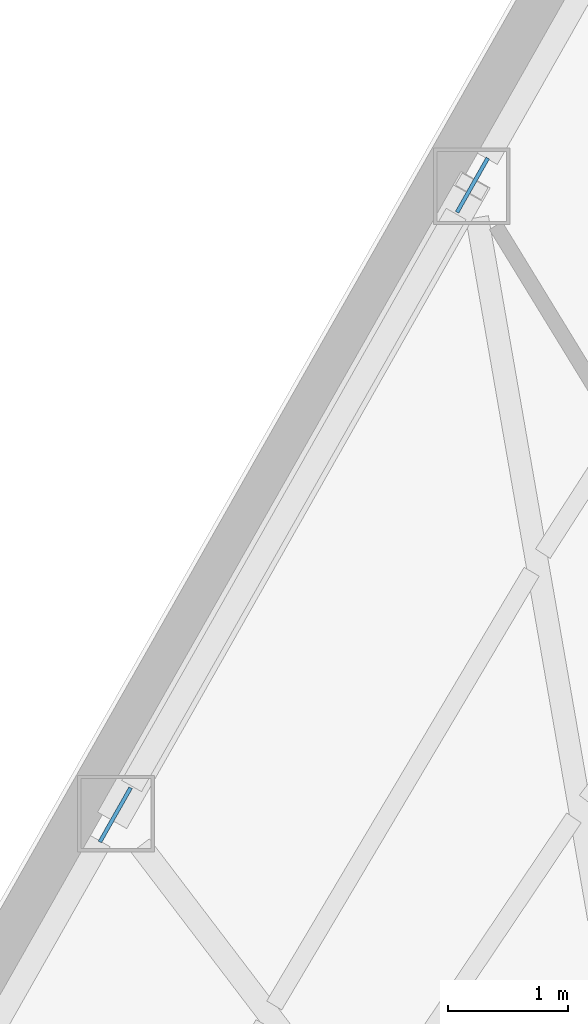
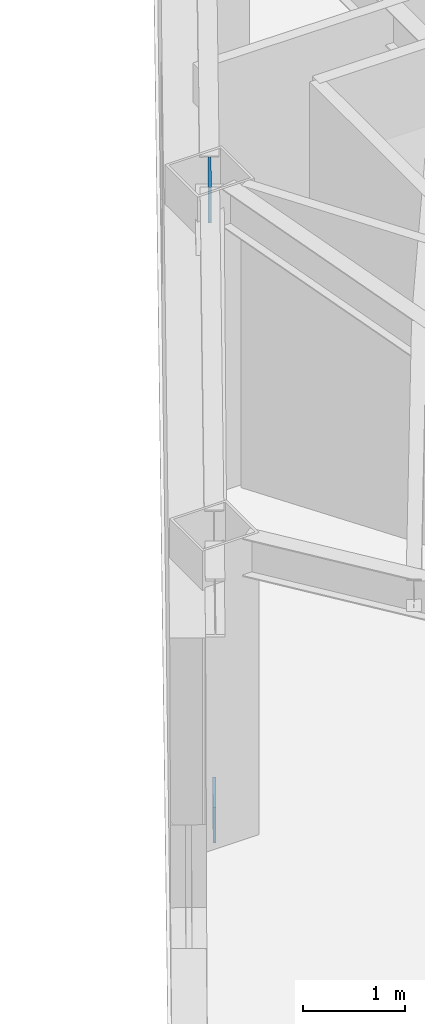
# One storey, part 5 of 11: 2 plates.
"""IFC4 building model written with IfcOpenShell, lengths in metres."""

from ifc_helpers import new_model, si_unit, direction, frame, origin, origin_2d, place, context, subcontext, project, spatial, rectangle, extrude, material, layer, layer_set, type_object, element, save


model = new_model("IFC4")

# Units and contexts
model_context = context("Model", 3, precision=1e-05, world=origin(), true_north=direction((0.0, 1.0)))
body_context = subcontext(model_context, "Body", "Model", "MODEL_VIEW")
ifc_project = project(units=[si_unit("LENGTHUNIT", "METRE"), si_unit("AREAUNIT", "SQUARE_METRE"), si_unit("VOLUMEUNIT", "CUBIC_METRE"), si_unit("PLANEANGLEUNIT", "RADIAN"), si_unit("MASSUNIT", "GRAM", prefix="KILO")], contexts=[model_context])

# Site, building, storey
site_placement = place(None, origin())
site = spatial("IfcSite", under=ifc_project, at=site_placement, CompositionType="ELEMENT")
building_placement = place(site_placement, origin())
building = spatial("IfcBuilding", under=site, at=building_placement, Name="Kavelnor Concourse Tower", CompositionType="ELEMENT")
storey_placement = place(building_placement, frame((0.0, 0.0, 165.0)))
storey = spatial("IfcBuildingStorey", under=building, at=storey_placement, Name="L41", CompositionType="ELEMENT", Elevation=165.0)

# Plates
ifc_material = material(Name="Steel Grade 350", Category="steel")
ifc_layer = layer(ifc_material, 0.031982421875, Name="Steel Grade 350")
ifc_layer_set = layer_set([ifc_layer], Name="Steel Grade 350")
plate_type = type_object("IfcPlateType", Name="PL-GUSSET-TUBE-Z1", PredefinedType="USERDEFINED", material=ifc_layer_set)
for number, where, z_axis, x_axis, name in (
    (1, (24.342529296875, 28.305419921875, 0.010009765625), (0.0, 0.0, 1.0), (0.493334724289, 0.869839554062, 0.0), "L41 Tube Brace Gusset GP3 F0-B2 End Gusset A"),
    (2, (27.326416015625, 33.56591796875, 3.16015625), (0.0, 0.0, 1.0), (0.493334724289, 0.869839554062, 0.0), "L41 Tube Brace Gusset GP3 F0-B2 End Gusset B"),
):
    element("IfcPlate", number, at=place(storey_placement, frame(where, z_axis=z_axis, x_axis=x_axis)), inside=storey, type_object=plate_type, Name=name, ObjectType="GUSSET_PLATE", PredefinedType="USERDEFINED", context=body_context, shape_type="SweptSolid", body=[
        extrude(rectangle(XDim=0.52001953125, YDim=0.031982421875, at=origin_2d()), origin(), (0.0, 0.0, 1.0), 0.419921875),
    ])

save(model, "model.ifc")
